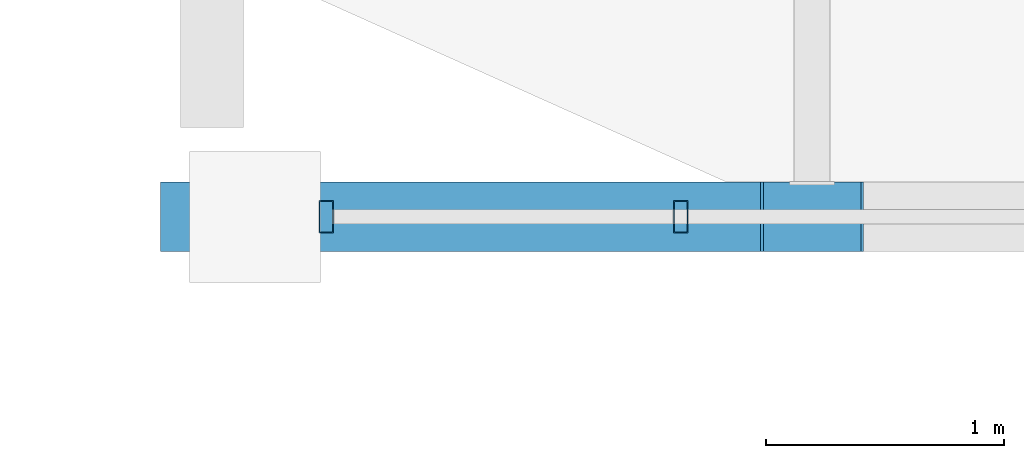
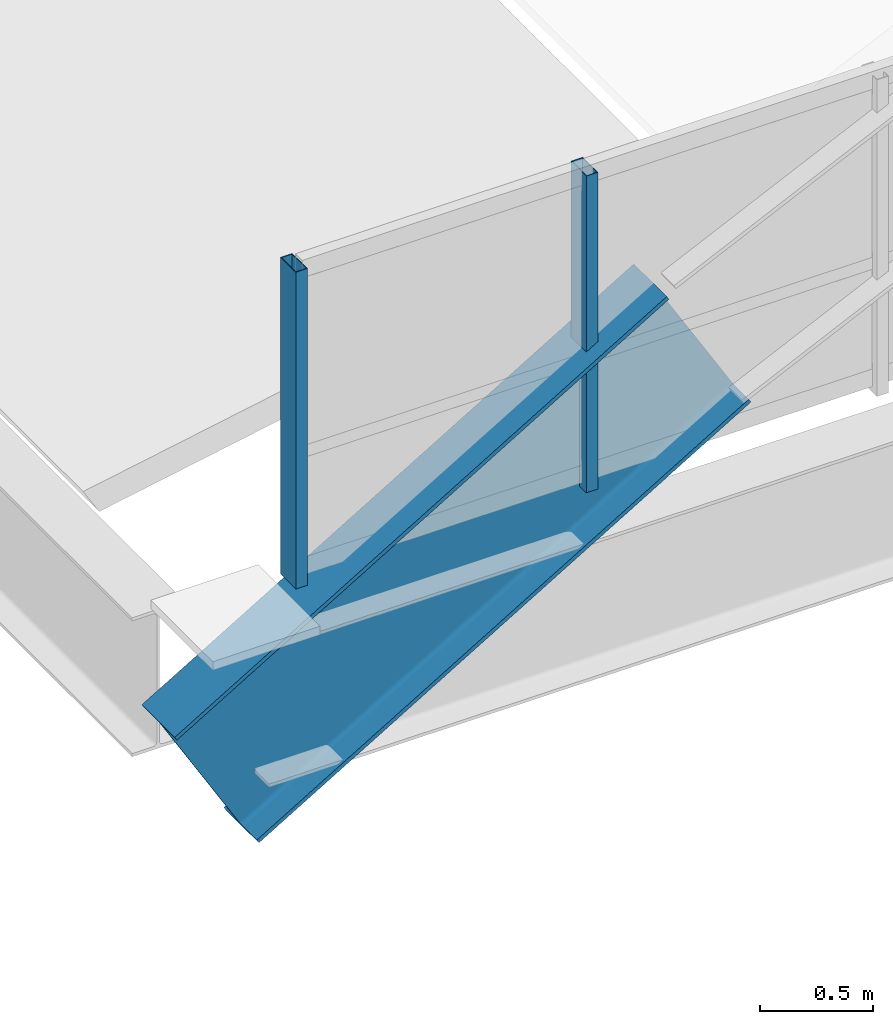
# One storey, part 62 of 107: 2 members, 1 beam, 1 element without a shape of its own.
"""IFC4 building model written with IfcOpenShell, lengths in metres."""

from ifc_helpers import new_model, si_unit, direction, frame, origin, origin_2d, place, context, subcontext, project, spatial, hollow_rectangle, i_section, extrude, material, layer, layer_set, material_profile, profile_set, type_object, element, aggregate, save


model = new_model("IFC4")

# Units and contexts
model_context = context("Model", 3, precision=1e-05, world=origin(), true_north=direction((0.0, 1.0)))
body_context = subcontext(model_context, "Body", "Model", "MODEL_VIEW")
ifc_project = project(units=[si_unit("LENGTHUNIT", "METRE"), si_unit("AREAUNIT", "SQUARE_METRE"), si_unit("VOLUMEUNIT", "CUBIC_METRE"), si_unit("PLANEANGLEUNIT", "RADIAN"), si_unit("MASSUNIT", "GRAM", prefix="KILO")], contexts=[model_context])

# Site, building, storey
site_placement = place(None, origin())
site = spatial("IfcSite", under=ifc_project, at=site_placement, CompositionType="ELEMENT")
building_placement = place(site_placement, origin())
building = spatial("IfcBuilding", under=site, at=building_placement, Name="Vireocrest Preparatory School", CompositionType="ELEMENT")
storey_placement = place(building_placement, frame((0.0, 0.0, 13.199951171875)))
storey = spatial("IfcBuildingStorey", under=building, at=storey_placement, Name="L03", CompositionType="ELEMENT", Elevation=13.199951171875)

# Beam
ifc_material_1 = material(Name="Structural steel ASTM A992 Grade 50", Category="steel")
ifc_material_profile_1 = material_profile(ifc_material_1, i_section(OverallWidth=0.2919921875, OverallDepth=0.841064453125, WebThickness=0.0146484375, FlangeThickness=0.021728515625, FilletRadius=0.02001953125, at=origin_2d()), Name="W33X130")
ifc_profile_set_1 = profile_set([ifc_material_profile_1], Name="Structural steel ASTM A992 Grade 50")
beam_type = type_object("IfcBeamType", Name="Assembly Hall Barrel Vault Arch Rib W33X130", PredefinedType="BEAM", material=ifc_profile_set_1)
beam_placement = place(storey_placement, frame((142.800048828125, 18.0, -0.883544921875), z_axis=(0.858599207137, 0.0, 0.512647443672), x_axis=(0.0, 1.0, 0.0)))
element("IfcBeam", 1, at=beam_placement, inside=storey, type_object=beam_type, Name="Assembly Hall Barrel Vault Roof Arch Rib 1 Seg 1", PredefinedType="BEAM", context=body_context, shape_type="SweptSolid", body=[
    extrude(i_section(OverallWidth=0.2919921875, OverallDepth=0.841064453125, WebThickness=0.0146484375, FlangeThickness=0.021728515625, FilletRadius=0.02001953125, at=origin_2d()), origin(), (0.0, 0.0, 1.0), 2.93505859375),
])

# Curtain wall, members
ifc_material_2 = material(Name="Thermally broken aluminium EN AW-6063-T6", Category="aluminium")
ifc_layer = layer(ifc_material_2, 0.179931640625)
ifc_layer_set = layer_set([ifc_layer], Name="Thermally broken aluminium EN AW-6063-T6")
curtain_wall_type = type_object("IfcCurtainWallType", Name="Vault Gable Clerestory 8400x2600", PredefinedType="USERDEFINED", material=ifc_layer_set)
curtain_wall_placement = place(storey_placement, origin())
curtain_wall = element("IfcCurtainWall", 2, at=curtain_wall_placement, inside=storey, type_object=curtain_wall_type, Name="Curtain Wall CW13 CW_L03_CW13_1432_0180_132", ObjectType="CURTAIN WALL", PredefinedType="USERDEFINED")
ifc_material_profile_2 = material_profile(ifc_material_2, hollow_rectangle(XDim=0.06005859375, YDim=0.135009765625, WallThickness=0.00390625, at=origin_2d()), Name="ALU 60x135x4")
ifc_profile_set_2 = profile_set([ifc_material_profile_2], Name="Thermally broken aluminium EN AW-6063-T6")
member_type = type_object("IfcMemberType", Name="CW Clerestory Mullion 60x135x4", PredefinedType="MULLION", material=ifc_profile_set_2)
member_1_placement = place(storey_placement, frame((143.280029296875, 18.0, 0.0), z_axis=(0.0, 0.0, 1.0), x_axis=(1.0, 0.0, 0.0)))
member_1 = element("IfcMember", 3, at=member_1_placement, type_object=member_type, Name="CW Mullion ML6 CW_L03_CW13_1432_0180_132-1", PredefinedType="MULLION", context=body_context, shape_type="SweptSolid", body=[
    extrude(hollow_rectangle(XDim=0.06005859375, YDim=0.135009765625, WallThickness=0.00390625, at=origin_2d()), origin(), (0.0, 0.0, 1.0), 1.715087890625),
])
member_2_placement = place(storey_placement, frame((144.76806640625, 18.0, 0.0), z_axis=(0.0, 0.0, 1.0), x_axis=(1.0, 0.0, 0.0)))
member_2 = element("IfcMember", 4, at=member_2_placement, type_object=member_type, Name="CW Mullion ML6 CW_L03_CW13_1432_0180_132-2", PredefinedType="MULLION", context=body_context, shape_type="SweptSolid", body=[
    extrude(hollow_rectangle(XDim=0.06005859375, YDim=0.135009765625, WallThickness=0.00390625, at=origin_2d()), origin(), (0.0, 0.0, 1.0), 1.715087890625),
])
aggregate(curtain_wall, [member_1, member_2])

save(model, "model.ifc")
